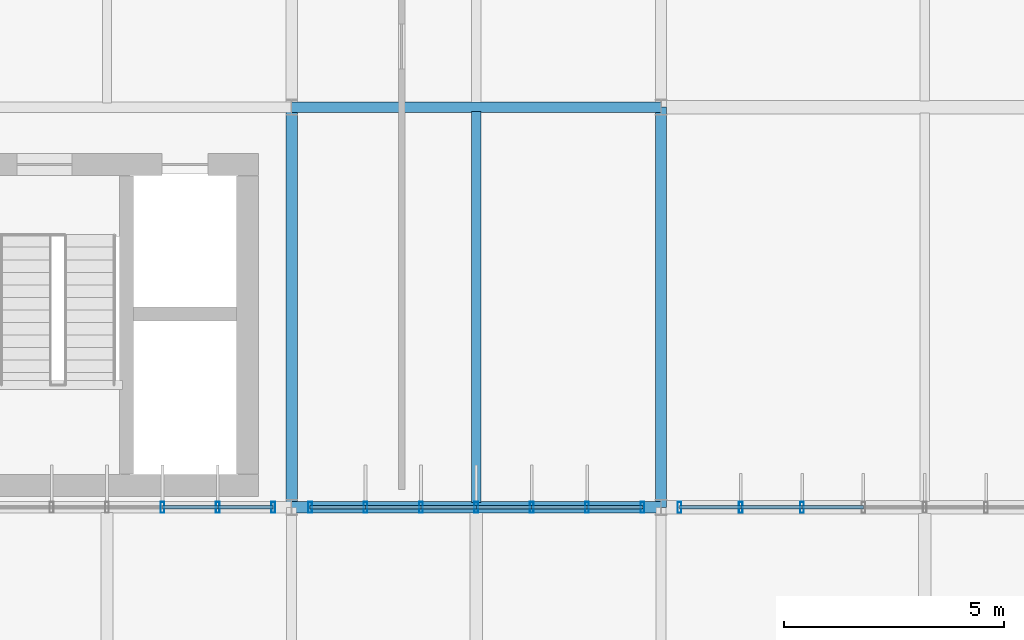
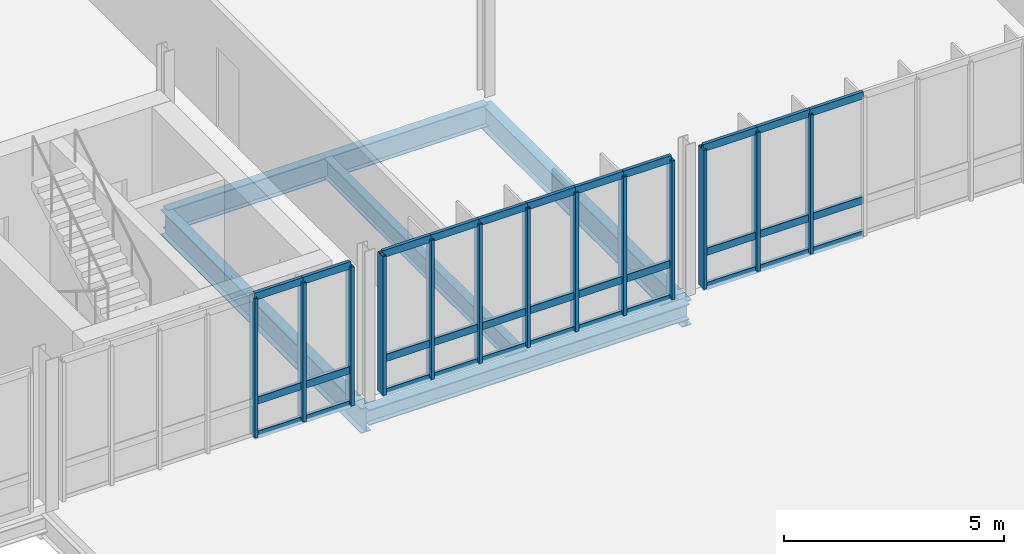
# One storey, part 63 of 107: 46 members, 5 beams, 3 elements without a shape of their own.
"""IFC4 building model written with IfcOpenShell, lengths in metres."""

from ifc_helpers import new_model, si_unit, derived_unit, direction, frame, origin, origin_2d, place, context, subcontext, project, spatial, hollow_rectangle, i_section, extrude, material, layer, layer_set, material_profile, profile_set, type_object, element, aggregate, save


model = new_model("IFC4")

# Units and contexts
model_context = context("Model", 3, precision=1e-05, world=origin(), true_north=direction((0.0, 1.0)))
body_context = subcontext(model_context, "Body", "Model", "MODEL_VIEW")
ifc_project = project(units=[si_unit("LENGTHUNIT", "METRE"), si_unit("AREAUNIT", "SQUARE_METRE"), si_unit("VOLUMEUNIT", "CUBIC_METRE"), si_unit("PLANEANGLEUNIT", "RADIAN"), si_unit("MASSUNIT", "GRAM", prefix="KILO"), derived_unit("THERMALTRANSMITTANCEUNIT", [(si_unit("MASSUNIT", "GRAM", prefix="KILO"), 1), (si_unit("TIMEUNIT", "SECOND"), -3), (si_unit("THERMODYNAMICTEMPERATUREUNIT", "KELVIN"), -1)])], contexts=[model_context])

# Site, building, storey
site_placement = place(None, origin())
site = spatial("IfcSite", under=ifc_project, at=site_placement, CompositionType="ELEMENT")
building_placement = place(site_placement, origin())
building = spatial("IfcBuilding", under=site, at=building_placement, Name="Makaiwela Harbour Ferry Terminal", CompositionType="ELEMENT")
storey_placement = place(building_placement, frame((0.0, 0.0, 9.60009765625)))
storey = spatial("IfcBuildingStorey", under=building, at=storey_placement, Name="L02", CompositionType="ELEMENT", Elevation=9.60009765625)

# Curtain wall, members
ifc_material_1 = material(Name="Marine anodised aluminium 6063-T6", Category="aluminium")
ifc_layer_1 = layer(ifc_material_1, 0.199951171875)
ifc_layer_set_1 = layer_set([ifc_layer_1], Name="Marine anodised aluminium 6063-T6")
curtain_wall_type_1 = type_object("IfcCurtainWallType", Name="ENV-CW-09", PredefinedType="USERDEFINED", material=ifc_layer_set_1)
curtain_wall_1_placement = place(storey_placement, origin())
curtain_wall_1 = element("IfcCurtainWall", 1, at=curtain_wall_1_placement, inside=storey, type_object=curtain_wall_type_1, Name="Unitised Curtain Wall CWA-152", ObjectType="UNITIZED CURTAIN WALL", PredefinedType="USERDEFINED")
ifc_material_profile_1 = material_profile(ifc_material_1, hollow_rectangle(XDim=0.0849609375, YDim=0.25, WallThickness=0.0048828125, at=origin_2d()), Name="CWM-250X85")
ifc_profile_set_1 = profile_set([ifc_material_profile_1], Name="Marine anodised aluminium 6063-T6")
member_type_1 = type_object("IfcMemberType", Name="CW-MUL-250", PredefinedType="MULLION", material=ifc_profile_set_1)
member_1_placement = place(storey_placement, frame((146.580078125, 49.39990234375, 0.0), z_axis=(0.0, 0.0, 1.0), x_axis=(1.0, 0.0, 0.0)))
member_1 = element("IfcMember", 2, at=member_1_placement, type_object=member_type_1, Name="Curtain Wall Mullion CWA-152-1", PredefinedType="MULLION", context=body_context, shape_type="SweptSolid", body=[
    extrude(hollow_rectangle(XDim=0.0849609375, YDim=0.25, WallThickness=0.0048828125, at=origin_2d()), origin(), (0.0, 0.0, 1.0), 3.849853515625),
])
member_2_placement = place(storey_placement, frame((145.320068359375, 49.39990234375, 0.0), z_axis=(0.0, 0.0, 1.0), x_axis=(1.0, 0.0, 0.0)))
member_2 = element("IfcMember", 3, at=member_2_placement, type_object=member_type_1, Name="Curtain Wall Mullion CWA-152-2", PredefinedType="MULLION", context=body_context, shape_type="SweptSolid", body=[
    extrude(hollow_rectangle(XDim=0.0849609375, YDim=0.25, WallThickness=0.0048828125, at=origin_2d()), origin(), (0.0, 0.0, 1.0), 3.849853515625),
])
member_3_placement = place(storey_placement, frame((144.06005859375, 49.39990234375, 0.0), z_axis=(0.0, 0.0, 1.0), x_axis=(1.0, 0.0, 0.0)))
member_3 = element("IfcMember", 4, at=member_3_placement, type_object=member_type_1, Name="Curtain Wall Mullion CWA-152-3", PredefinedType="MULLION", context=body_context, shape_type="SweptSolid", body=[
    extrude(hollow_rectangle(XDim=0.0849609375, YDim=0.25, WallThickness=0.0048828125, at=origin_2d()), origin(), (0.0, 0.0, 1.0), 3.849853515625),
])

curtain_wall_2_placement = place(storey_placement, origin())
curtain_wall_2 = element("IfcCurtainWall", 5, at=curtain_wall_2_placement, inside=storey, type_object=curtain_wall_type_1, Name="Unitised Curtain Wall CWA-154", ObjectType="UNITIZED CURTAIN WALL", PredefinedType="USERDEFINED")
member_4_placement = place(storey_placement, frame((154.97998046875, 49.39990234375, 0.0), z_axis=(0.0, 0.0, 1.0), x_axis=(1.0, 0.0, 0.0)))
member_4 = element("IfcMember", 6, at=member_4_placement, type_object=member_type_1, Name="Curtain Wall Mullion CWA-154-1", PredefinedType="MULLION", context=body_context, shape_type="SweptSolid", body=[
    extrude(hollow_rectangle(XDim=0.0849609375, YDim=0.25, WallThickness=0.0048828125, at=origin_2d()), origin(), (0.0, 0.0, 1.0), 3.849853515625),
])
member_5_placement = place(storey_placement, frame((153.719970703125, 49.39990234375, 0.0), z_axis=(0.0, 0.0, 1.0), x_axis=(1.0, 0.0, 0.0)))
member_5 = element("IfcMember", 7, at=member_5_placement, type_object=member_type_1, Name="Curtain Wall Mullion CWA-154-2", PredefinedType="MULLION", context=body_context, shape_type="SweptSolid", body=[
    extrude(hollow_rectangle(XDim=0.0849609375, YDim=0.25, WallThickness=0.0048828125, at=origin_2d()), origin(), (0.0, 0.0, 1.0), 3.849853515625),
])
member_6_placement = place(storey_placement, frame((152.4599609375, 49.39990234375, 0.0), z_axis=(0.0, 0.0, 1.0), x_axis=(1.0, 0.0, 0.0)))
member_6 = element("IfcMember", 8, at=member_6_placement, type_object=member_type_1, Name="Curtain Wall Mullion CWA-154-3", PredefinedType="MULLION", context=body_context, shape_type="SweptSolid", body=[
    extrude(hollow_rectangle(XDim=0.0849609375, YDim=0.25, WallThickness=0.0048828125, at=origin_2d()), origin(), (0.0, 0.0, 1.0), 3.849853515625),
])
member_7_placement = place(storey_placement, frame((151.199951171875, 49.39990234375, 0.0), z_axis=(0.0, 0.0, 1.0), x_axis=(1.0, 0.0, 0.0)))
member_7 = element("IfcMember", 9, at=member_7_placement, type_object=member_type_1, Name="Curtain Wall Mullion CWA-154-4", PredefinedType="MULLION", context=body_context, shape_type="SweptSolid", body=[
    extrude(hollow_rectangle(XDim=0.0849609375, YDim=0.25, WallThickness=0.0048828125, at=origin_2d()), origin(), (0.0, 0.0, 1.0), 3.849853515625),
])
member_8_placement = place(storey_placement, frame((149.93994140625, 49.39990234375, 0.0), z_axis=(0.0, 0.0, 1.0), x_axis=(1.0, 0.0, 0.0)))
member_8 = element("IfcMember", 10, at=member_8_placement, type_object=member_type_1, Name="Curtain Wall Mullion CWA-154-5", PredefinedType="MULLION", context=body_context, shape_type="SweptSolid", body=[
    extrude(hollow_rectangle(XDim=0.0849609375, YDim=0.25, WallThickness=0.0048828125, at=origin_2d()), origin(), (0.0, 0.0, 1.0), 3.849853515625),
])
member_9_placement = place(storey_placement, frame((148.679931640625, 49.39990234375, 0.0), z_axis=(0.0, 0.0, 1.0), x_axis=(1.0, 0.0, 0.0)))
member_9 = element("IfcMember", 11, at=member_9_placement, type_object=member_type_1, Name="Curtain Wall Mullion CWA-154-6", PredefinedType="MULLION", context=body_context, shape_type="SweptSolid", body=[
    extrude(hollow_rectangle(XDim=0.0849609375, YDim=0.25, WallThickness=0.0048828125, at=origin_2d()), origin(), (0.0, 0.0, 1.0), 3.849853515625),
])
member_10_placement = place(storey_placement, frame((147.419921875, 49.39990234375, 0.0), z_axis=(0.0, 0.0, 1.0), x_axis=(1.0, 0.0, 0.0)))
member_10 = element("IfcMember", 12, at=member_10_placement, type_object=member_type_1, Name="Curtain Wall Mullion CWA-154-7", PredefinedType="MULLION", context=body_context, shape_type="SweptSolid", body=[
    extrude(hollow_rectangle(XDim=0.0849609375, YDim=0.25, WallThickness=0.0048828125, at=origin_2d()), origin(), (0.0, 0.0, 1.0), 3.849853515625),
])

ifc_layer_2 = layer(ifc_material_1, 0.199951171875)
ifc_layer_set_2 = layer_set([ifc_layer_2], Name="Marine anodised aluminium 6063-T6")
curtain_wall_type_2 = type_object("IfcCurtainWallType", Name="ENV-CW-18", PredefinedType="USERDEFINED", material=ifc_layer_set_2)
curtain_wall_3_placement = place(storey_placement, origin())
curtain_wall_3 = element("IfcCurtainWall", 13, at=curtain_wall_3_placement, inside=storey, type_object=curtain_wall_type_2, Name="Unitised Curtain Wall CWA-156", ObjectType="UNITIZED CURTAIN WALL", PredefinedType="USERDEFINED")
member_11_placement = place(storey_placement, frame((158.610107421875, 49.39990234375, 0.0), z_axis=(0.0, 0.0, 1.0), x_axis=(1.0, 0.0, 0.0)))
member_11 = element("IfcMember", 14, at=member_11_placement, type_object=member_type_1, Name="Curtain Wall Mullion CWA-156-7", PredefinedType="MULLION", context=body_context, shape_type="SweptSolid", body=[
    extrude(hollow_rectangle(XDim=0.0849609375, YDim=0.25, WallThickness=0.0048828125, at=origin_2d()), origin(), (0.0, 0.0, 1.0), 3.849853515625),
])
member_12_placement = place(storey_placement, frame((157.215087890625, 49.39990234375, 0.0), z_axis=(0.0, 0.0, 1.0), x_axis=(1.0, 0.0, 0.0)))
member_12 = element("IfcMember", 15, at=member_12_placement, type_object=member_type_1, Name="Curtain Wall Mullion CWA-156-8", PredefinedType="MULLION", context=body_context, shape_type="SweptSolid", body=[
    extrude(hollow_rectangle(XDim=0.0849609375, YDim=0.25, WallThickness=0.0048828125, at=origin_2d()), origin(), (0.0, 0.0, 1.0), 3.849853515625),
])
member_13_placement = place(storey_placement, frame((155.820068359375, 49.39990234375, 0.0), z_axis=(0.0, 0.0, 1.0), x_axis=(1.0, 0.0, 0.0)))
member_13 = element("IfcMember", 16, at=member_13_placement, type_object=member_type_1, Name="Curtain Wall Mullion CWA-156-9", PredefinedType="MULLION", context=body_context, shape_type="SweptSolid", body=[
    extrude(hollow_rectangle(XDim=0.0849609375, YDim=0.25, WallThickness=0.0048828125, at=origin_2d()), origin(), (0.0, 0.0, 1.0), 3.849853515625),
])

# Member
ifc_material_profile_2 = material_profile(ifc_material_1, hollow_rectangle(XDim=0.0849609375, YDim=0.199951171875, WallThickness=0.0048828125, at=origin_2d()), Name="CWT-200X85")
ifc_profile_set_2 = profile_set([ifc_material_profile_2], Name="Marine anodised aluminium 6063-T6")
member_type_2 = type_object("IfcMemberType", Name="CW-TRN-200", PredefinedType="USERDEFINED", material=ifc_profile_set_2)
member_14_placement = place(storey_placement, frame((146.580078125, 49.39990234375, 0.0), z_axis=(-1.0, 0.0, 0.0), x_axis=(0.0, -1.0, 0.0)))
member_14 = element("IfcMember", 17, at=member_14_placement, type_object=member_type_2, Name="Curtain Wall Transom CWA-152-1-1", ObjectType="TRANSOM", PredefinedType="USERDEFINED", context=body_context, shape_type="SweptSolid", body=[
    extrude(hollow_rectangle(XDim=0.0849609375, YDim=0.199951171875, WallThickness=0.0048828125, at=origin_2d()), origin(), (0.0, 0.0, 1.0), 1.260009765625),
])

member_15_placement = place(storey_placement, frame((146.580078125, 49.39990234375, 0.949951171875), z_axis=(-1.0, 0.0, 0.0), x_axis=(0.0, -1.0, 0.0)))
member_15 = element("IfcMember", 18, at=member_15_placement, type_object=member_type_2, Name="Curtain Wall Transom CWA-152-1-2", ObjectType="TRANSOM", PredefinedType="USERDEFINED", context=body_context, shape_type="SweptSolid", body=[
    extrude(hollow_rectangle(XDim=0.0849609375, YDim=0.199951171875, WallThickness=0.0048828125, at=origin_2d()), origin(), (0.0, 0.0, 1.0), 1.260009765625),
])

member_16_placement = place(storey_placement, frame((146.580078125, 49.39990234375, 3.849853515625), z_axis=(-1.0, 0.0, 0.0), x_axis=(0.0, -1.0, 0.0)))
member_16 = element("IfcMember", 19, at=member_16_placement, type_object=member_type_2, Name="Curtain Wall Transom CWA-152-1-3", ObjectType="TRANSOM", PredefinedType="USERDEFINED", context=body_context, shape_type="SweptSolid", body=[
    extrude(hollow_rectangle(XDim=0.0849609375, YDim=0.199951171875, WallThickness=0.0048828125, at=origin_2d()), origin(), (0.0, 0.0, 1.0), 1.260009765625),
])

member_17_placement = place(storey_placement, frame((145.320068359375, 49.39990234375, 0.0), z_axis=(-1.0, 0.0, 0.0), x_axis=(0.0, -1.0, 0.0)))
member_17 = element("IfcMember", 20, at=member_17_placement, type_object=member_type_2, Name="Curtain Wall Transom CWA-152-2-1", ObjectType="TRANSOM", PredefinedType="USERDEFINED", context=body_context, shape_type="SweptSolid", body=[
    extrude(hollow_rectangle(XDim=0.0849609375, YDim=0.199951171875, WallThickness=0.0048828125, at=origin_2d()), origin(), (0.0, 0.0, 1.0), 1.260009765625),
])

member_18_placement = place(storey_placement, frame((145.320068359375, 49.39990234375, 0.949951171875), z_axis=(-1.0, 0.0, 0.0), x_axis=(0.0, -1.0, 0.0)))
member_18 = element("IfcMember", 21, at=member_18_placement, type_object=member_type_2, Name="Curtain Wall Transom CWA-152-2-2", ObjectType="TRANSOM", PredefinedType="USERDEFINED", context=body_context, shape_type="SweptSolid", body=[
    extrude(hollow_rectangle(XDim=0.0849609375, YDim=0.199951171875, WallThickness=0.0048828125, at=origin_2d()), origin(), (0.0, 0.0, 1.0), 1.260009765625),
])

member_19_placement = place(storey_placement, frame((145.320068359375, 49.39990234375, 3.849853515625), z_axis=(-1.0, 0.0, 0.0), x_axis=(0.0, -1.0, 0.0)))
member_19 = element("IfcMember", 22, at=member_19_placement, type_object=member_type_2, Name="Curtain Wall Transom CWA-152-2-3", ObjectType="TRANSOM", PredefinedType="USERDEFINED", context=body_context, shape_type="SweptSolid", body=[
    extrude(hollow_rectangle(XDim=0.0849609375, YDim=0.199951171875, WallThickness=0.0048828125, at=origin_2d()), origin(), (0.0, 0.0, 1.0), 1.260009765625),
])

aggregate(curtain_wall_1, [member_1, member_2, member_3, member_14, member_15, member_16, member_17, member_18, member_19])

member_20_placement = place(storey_placement, frame((154.97998046875, 49.39990234375, 0.0), z_axis=(-1.0, 0.0, 0.0), x_axis=(0.0, -1.0, 0.0)))
member_20 = element("IfcMember", 23, at=member_20_placement, type_object=member_type_2, Name="Curtain Wall Transom CWA-154-1-1", ObjectType="TRANSOM", PredefinedType="USERDEFINED", context=body_context, shape_type="SweptSolid", body=[
    extrude(hollow_rectangle(XDim=0.0849609375, YDim=0.199951171875, WallThickness=0.0048828125, at=origin_2d()), origin(), (0.0, 0.0, 1.0), 1.260009765625),
])

member_21_placement = place(storey_placement, frame((154.97998046875, 49.39990234375, 0.949951171875), z_axis=(-1.0, 0.0, 0.0), x_axis=(0.0, -1.0, 0.0)))
member_21 = element("IfcMember", 24, at=member_21_placement, type_object=member_type_2, Name="Curtain Wall Transom CWA-154-1-2", ObjectType="TRANSOM", PredefinedType="USERDEFINED", context=body_context, shape_type="SweptSolid", body=[
    extrude(hollow_rectangle(XDim=0.0849609375, YDim=0.199951171875, WallThickness=0.0048828125, at=origin_2d()), origin(), (0.0, 0.0, 1.0), 1.260009765625),
])

member_22_placement = place(storey_placement, frame((154.97998046875, 49.39990234375, 3.849853515625), z_axis=(-1.0, 0.0, 0.0), x_axis=(0.0, -1.0, 0.0)))
member_22 = element("IfcMember", 25, at=member_22_placement, type_object=member_type_2, Name="Curtain Wall Transom CWA-154-1-3", ObjectType="TRANSOM", PredefinedType="USERDEFINED", context=body_context, shape_type="SweptSolid", body=[
    extrude(hollow_rectangle(XDim=0.0849609375, YDim=0.199951171875, WallThickness=0.0048828125, at=origin_2d()), origin(), (0.0, 0.0, 1.0), 1.260009765625),
])

member_23_placement = place(storey_placement, frame((153.719970703125, 49.39990234375, 0.0), z_axis=(-1.0, 0.0, 0.0), x_axis=(0.0, -1.0, 0.0)))
member_23 = element("IfcMember", 26, at=member_23_placement, type_object=member_type_2, Name="Curtain Wall Transom CWA-154-2-1", ObjectType="TRANSOM", PredefinedType="USERDEFINED", context=body_context, shape_type="SweptSolid", body=[
    extrude(hollow_rectangle(XDim=0.0849609375, YDim=0.199951171875, WallThickness=0.0048828125, at=origin_2d()), origin(), (0.0, 0.0, 1.0), 1.260009765625),
])

member_24_placement = place(storey_placement, frame((153.719970703125, 49.39990234375, 0.949951171875), z_axis=(-1.0, 0.0, 0.0), x_axis=(0.0, -1.0, 0.0)))
member_24 = element("IfcMember", 27, at=member_24_placement, type_object=member_type_2, Name="Curtain Wall Transom CWA-154-2-2", ObjectType="TRANSOM", PredefinedType="USERDEFINED", context=body_context, shape_type="SweptSolid", body=[
    extrude(hollow_rectangle(XDim=0.0849609375, YDim=0.199951171875, WallThickness=0.0048828125, at=origin_2d()), origin(), (0.0, 0.0, 1.0), 1.260009765625),
])

member_25_placement = place(storey_placement, frame((153.719970703125, 49.39990234375, 3.849853515625), z_axis=(-1.0, 0.0, 0.0), x_axis=(0.0, -1.0, 0.0)))
member_25 = element("IfcMember", 28, at=member_25_placement, type_object=member_type_2, Name="Curtain Wall Transom CWA-154-2-3", ObjectType="TRANSOM", PredefinedType="USERDEFINED", context=body_context, shape_type="SweptSolid", body=[
    extrude(hollow_rectangle(XDim=0.0849609375, YDim=0.199951171875, WallThickness=0.0048828125, at=origin_2d()), origin(), (0.0, 0.0, 1.0), 1.260009765625),
])

member_26_placement = place(storey_placement, frame((152.4599609375, 49.39990234375, 0.0), z_axis=(-1.0, 0.0, 0.0), x_axis=(0.0, -1.0, 0.0)))
member_26 = element("IfcMember", 29, at=member_26_placement, type_object=member_type_2, Name="Curtain Wall Transom CWA-154-3-1", ObjectType="TRANSOM", PredefinedType="USERDEFINED", context=body_context, shape_type="SweptSolid", body=[
    extrude(hollow_rectangle(XDim=0.0849609375, YDim=0.199951171875, WallThickness=0.0048828125, at=origin_2d()), origin(), (0.0, 0.0, 1.0), 1.260009765625),
])

member_27_placement = place(storey_placement, frame((152.4599609375, 49.39990234375, 0.949951171875), z_axis=(-1.0, 0.0, 0.0), x_axis=(0.0, -1.0, 0.0)))
member_27 = element("IfcMember", 30, at=member_27_placement, type_object=member_type_2, Name="Curtain Wall Transom CWA-154-3-2", ObjectType="TRANSOM", PredefinedType="USERDEFINED", context=body_context, shape_type="SweptSolid", body=[
    extrude(hollow_rectangle(XDim=0.0849609375, YDim=0.199951171875, WallThickness=0.0048828125, at=origin_2d()), origin(), (0.0, 0.0, 1.0), 1.260009765625),
])

member_28_placement = place(storey_placement, frame((152.4599609375, 49.39990234375, 3.849853515625), z_axis=(-1.0, 0.0, 0.0), x_axis=(0.0, -1.0, 0.0)))
member_28 = element("IfcMember", 31, at=member_28_placement, type_object=member_type_2, Name="Curtain Wall Transom CWA-154-3-3", ObjectType="TRANSOM", PredefinedType="USERDEFINED", context=body_context, shape_type="SweptSolid", body=[
    extrude(hollow_rectangle(XDim=0.0849609375, YDim=0.199951171875, WallThickness=0.0048828125, at=origin_2d()), origin(), (0.0, 0.0, 1.0), 1.260009765625),
])

member_29_placement = place(storey_placement, frame((151.199951171875, 49.39990234375, 0.0), z_axis=(-1.0, 0.0, 0.0), x_axis=(0.0, -1.0, 0.0)))
member_29 = element("IfcMember", 32, at=member_29_placement, type_object=member_type_2, Name="Curtain Wall Transom CWA-154-4-1", ObjectType="TRANSOM", PredefinedType="USERDEFINED", context=body_context, shape_type="SweptSolid", body=[
    extrude(hollow_rectangle(XDim=0.0849609375, YDim=0.199951171875, WallThickness=0.0048828125, at=origin_2d()), origin(), (0.0, 0.0, 1.0), 1.260009765625),
])

member_30_placement = place(storey_placement, frame((151.199951171875, 49.39990234375, 0.949951171875), z_axis=(-1.0, 0.0, 0.0), x_axis=(0.0, -1.0, 0.0)))
member_30 = element("IfcMember", 33, at=member_30_placement, type_object=member_type_2, Name="Curtain Wall Transom CWA-154-4-2", ObjectType="TRANSOM", PredefinedType="USERDEFINED", context=body_context, shape_type="SweptSolid", body=[
    extrude(hollow_rectangle(XDim=0.0849609375, YDim=0.199951171875, WallThickness=0.0048828125, at=origin_2d()), origin(), (0.0, 0.0, 1.0), 1.260009765625),
])

member_31_placement = place(storey_placement, frame((151.199951171875, 49.39990234375, 3.849853515625), z_axis=(-1.0, 0.0, 0.0), x_axis=(0.0, -1.0, 0.0)))
member_31 = element("IfcMember", 34, at=member_31_placement, type_object=member_type_2, Name="Curtain Wall Transom CWA-154-4-3", ObjectType="TRANSOM", PredefinedType="USERDEFINED", context=body_context, shape_type="SweptSolid", body=[
    extrude(hollow_rectangle(XDim=0.0849609375, YDim=0.199951171875, WallThickness=0.0048828125, at=origin_2d()), origin(), (0.0, 0.0, 1.0), 1.260009765625),
])

member_32_placement = place(storey_placement, frame((149.93994140625, 49.39990234375, 0.0), z_axis=(-1.0, 0.0, 0.0), x_axis=(0.0, -1.0, 0.0)))
member_32 = element("IfcMember", 35, at=member_32_placement, type_object=member_type_2, Name="Curtain Wall Transom CWA-154-5-1", ObjectType="TRANSOM", PredefinedType="USERDEFINED", context=body_context, shape_type="SweptSolid", body=[
    extrude(hollow_rectangle(XDim=0.0849609375, YDim=0.199951171875, WallThickness=0.0048828125, at=origin_2d()), origin(), (0.0, 0.0, 1.0), 1.260009765625),
])

member_33_placement = place(storey_placement, frame((149.93994140625, 49.39990234375, 0.949951171875), z_axis=(-1.0, 0.0, 0.0), x_axis=(0.0, -1.0, 0.0)))
member_33 = element("IfcMember", 36, at=member_33_placement, type_object=member_type_2, Name="Curtain Wall Transom CWA-154-5-2", ObjectType="TRANSOM", PredefinedType="USERDEFINED", context=body_context, shape_type="SweptSolid", body=[
    extrude(hollow_rectangle(XDim=0.0849609375, YDim=0.199951171875, WallThickness=0.0048828125, at=origin_2d()), origin(), (0.0, 0.0, 1.0), 1.260009765625),
])

member_34_placement = place(storey_placement, frame((149.93994140625, 49.39990234375, 3.849853515625), z_axis=(-1.0, 0.0, 0.0), x_axis=(0.0, -1.0, 0.0)))
member_34 = element("IfcMember", 37, at=member_34_placement, type_object=member_type_2, Name="Curtain Wall Transom CWA-154-5-3", ObjectType="TRANSOM", PredefinedType="USERDEFINED", context=body_context, shape_type="SweptSolid", body=[
    extrude(hollow_rectangle(XDim=0.0849609375, YDim=0.199951171875, WallThickness=0.0048828125, at=origin_2d()), origin(), (0.0, 0.0, 1.0), 1.260009765625),
])

member_35_placement = place(storey_placement, frame((148.679931640625, 49.39990234375, 0.0), z_axis=(-1.0, 0.0, 0.0), x_axis=(0.0, -1.0, 0.0)))
member_35 = element("IfcMember", 38, at=member_35_placement, type_object=member_type_2, Name="Curtain Wall Transom CWA-154-6-1", ObjectType="TRANSOM", PredefinedType="USERDEFINED", context=body_context, shape_type="SweptSolid", body=[
    extrude(hollow_rectangle(XDim=0.0849609375, YDim=0.199951171875, WallThickness=0.0048828125, at=origin_2d()), origin(), (0.0, 0.0, 1.0), 1.260009765625),
])

member_36_placement = place(storey_placement, frame((148.679931640625, 49.39990234375, 0.949951171875), z_axis=(-1.0, 0.0, 0.0), x_axis=(0.0, -1.0, 0.0)))
member_36 = element("IfcMember", 39, at=member_36_placement, type_object=member_type_2, Name="Curtain Wall Transom CWA-154-6-2", ObjectType="TRANSOM", PredefinedType="USERDEFINED", context=body_context, shape_type="SweptSolid", body=[
    extrude(hollow_rectangle(XDim=0.0849609375, YDim=0.199951171875, WallThickness=0.0048828125, at=origin_2d()), origin(), (0.0, 0.0, 1.0), 1.260009765625),
])

member_37_placement = place(storey_placement, frame((148.679931640625, 49.39990234375, 3.849853515625), z_axis=(-1.0, 0.0, 0.0), x_axis=(0.0, -1.0, 0.0)))
member_37 = element("IfcMember", 40, at=member_37_placement, type_object=member_type_2, Name="Curtain Wall Transom CWA-154-6-3", ObjectType="TRANSOM", PredefinedType="USERDEFINED", context=body_context, shape_type="SweptSolid", body=[
    extrude(hollow_rectangle(XDim=0.0849609375, YDim=0.199951171875, WallThickness=0.0048828125, at=origin_2d()), origin(), (0.0, 0.0, 1.0), 1.260009765625),
])

aggregate(curtain_wall_2, [member_4, member_5, member_6, member_7, member_8, member_9, member_10, member_20, member_21, member_22, member_23, member_24, member_25, member_26, member_27, member_28, member_29, member_30, member_31, member_32, member_33, member_34, member_35, member_36, member_37])

member_38_placement = place(storey_placement, frame((160.0048828125, 49.39990234375, 0.0), z_axis=(-1.0, 0.0, 0.0), x_axis=(0.0, -1.0, 0.0)))
member_38 = element("IfcMember", 41, at=member_38_placement, type_object=member_type_2, Name="Curtain Wall Transom CWA-156-6-1", ObjectType="TRANSOM", PredefinedType="USERDEFINED", context=body_context, shape_type="SweptSolid", body=[
    extrude(hollow_rectangle(XDim=0.0849609375, YDim=0.199951171875, WallThickness=0.0048828125, at=origin_2d()), origin(), (0.0, 0.0, 1.0), 1.394775390625),
])

member_39_placement = place(storey_placement, frame((160.0048828125, 49.39990234375, 0.949951171875), z_axis=(-1.0, 0.0, 0.0), x_axis=(0.0, -1.0, 0.0)))
member_39 = element("IfcMember", 42, at=member_39_placement, type_object=member_type_2, Name="Curtain Wall Transom CWA-156-6-2", ObjectType="TRANSOM", PredefinedType="USERDEFINED", context=body_context, shape_type="SweptSolid", body=[
    extrude(hollow_rectangle(XDim=0.0849609375, YDim=0.199951171875, WallThickness=0.0048828125, at=origin_2d()), origin(), (0.0, 0.0, 1.0), 1.394775390625),
])

member_40_placement = place(storey_placement, frame((160.0048828125, 49.39990234375, 3.849853515625), z_axis=(-1.0, 0.0, 0.0), x_axis=(0.0, -1.0, 0.0)))
member_40 = element("IfcMember", 43, at=member_40_placement, type_object=member_type_2, Name="Curtain Wall Transom CWA-156-6-3", ObjectType="TRANSOM", PredefinedType="USERDEFINED", context=body_context, shape_type="SweptSolid", body=[
    extrude(hollow_rectangle(XDim=0.0849609375, YDim=0.199951171875, WallThickness=0.0048828125, at=origin_2d()), origin(), (0.0, 0.0, 1.0), 1.394775390625),
])

member_41_placement = place(storey_placement, frame((158.610107421875, 49.39990234375, 0.0), z_axis=(-1.0, 0.0, 0.0), x_axis=(0.0, -1.0, 0.0)))
member_41 = element("IfcMember", 44, at=member_41_placement, type_object=member_type_2, Name="Curtain Wall Transom CWA-156-7-1", ObjectType="TRANSOM", PredefinedType="USERDEFINED", context=body_context, shape_type="SweptSolid", body=[
    extrude(hollow_rectangle(XDim=0.0849609375, YDim=0.199951171875, WallThickness=0.0048828125, at=origin_2d()), origin(), (0.0, 0.0, 1.0), 1.39501953125),
])

member_42_placement = place(storey_placement, frame((158.610107421875, 49.39990234375, 0.949951171875), z_axis=(-1.0, 0.0, 0.0), x_axis=(0.0, -1.0, 0.0)))
member_42 = element("IfcMember", 45, at=member_42_placement, type_object=member_type_2, Name="Curtain Wall Transom CWA-156-7-2", ObjectType="TRANSOM", PredefinedType="USERDEFINED", context=body_context, shape_type="SweptSolid", body=[
    extrude(hollow_rectangle(XDim=0.0849609375, YDim=0.199951171875, WallThickness=0.0048828125, at=origin_2d()), origin(), (0.0, 0.0, 1.0), 1.39501953125),
])

member_43_placement = place(storey_placement, frame((158.610107421875, 49.39990234375, 3.849853515625), z_axis=(-1.0, 0.0, 0.0), x_axis=(0.0, -1.0, 0.0)))
member_43 = element("IfcMember", 46, at=member_43_placement, type_object=member_type_2, Name="Curtain Wall Transom CWA-156-7-3", ObjectType="TRANSOM", PredefinedType="USERDEFINED", context=body_context, shape_type="SweptSolid", body=[
    extrude(hollow_rectangle(XDim=0.0849609375, YDim=0.199951171875, WallThickness=0.0048828125, at=origin_2d()), origin(), (0.0, 0.0, 1.0), 1.39501953125),
])

member_44_placement = place(storey_placement, frame((157.215087890625, 49.39990234375, 0.0), z_axis=(-1.0, 0.0, 0.0), x_axis=(0.0, -1.0, 0.0)))
member_44 = element("IfcMember", 47, at=member_44_placement, type_object=member_type_2, Name="Curtain Wall Transom CWA-156-8-1", ObjectType="TRANSOM", PredefinedType="USERDEFINED", context=body_context, shape_type="SweptSolid", body=[
    extrude(hollow_rectangle(XDim=0.0849609375, YDim=0.199951171875, WallThickness=0.0048828125, at=origin_2d()), origin(), (0.0, 0.0, 1.0), 1.39501953125),
])

member_45_placement = place(storey_placement, frame((157.215087890625, 49.39990234375, 0.949951171875), z_axis=(-1.0, 0.0, 0.0), x_axis=(0.0, -1.0, 0.0)))
member_45 = element("IfcMember", 48, at=member_45_placement, type_object=member_type_2, Name="Curtain Wall Transom CWA-156-8-2", ObjectType="TRANSOM", PredefinedType="USERDEFINED", context=body_context, shape_type="SweptSolid", body=[
    extrude(hollow_rectangle(XDim=0.0849609375, YDim=0.199951171875, WallThickness=0.0048828125, at=origin_2d()), origin(), (0.0, 0.0, 1.0), 1.39501953125),
])

member_46_placement = place(storey_placement, frame((157.215087890625, 49.39990234375, 3.849853515625), z_axis=(-1.0, 0.0, 0.0), x_axis=(0.0, -1.0, 0.0)))
member_46 = element("IfcMember", 49, at=member_46_placement, type_object=member_type_2, Name="Curtain Wall Transom CWA-156-8-3", ObjectType="TRANSOM", PredefinedType="USERDEFINED", context=body_context, shape_type="SweptSolid", body=[
    extrude(hollow_rectangle(XDim=0.0849609375, YDim=0.199951171875, WallThickness=0.0048828125, at=origin_2d()), origin(), (0.0, 0.0, 1.0), 1.39501953125),
])

aggregate(curtain_wall_3, [member_11, member_12, member_13, member_38, member_39, member_40, member_41, member_42, member_43, member_44, member_45, member_46])

# Beams
ifc_material_2 = material(Name="Steel ASTM A992 Grade 50", Category="steel")
ifc_material_profile_3 = material_profile(ifc_material_2, i_section(OverallWidth=0.2099609375, OverallDepth=0.537109375, WebThickness=0.010986328125, FlangeThickness=0.017333984375, at=origin_2d()), Name="W21X68")
ifc_profile_set_3 = profile_set([ifc_material_profile_3], Name="Steel ASTM A992 Grade 50")
beam_type_1 = type_object("IfcBeamType", Name="STR-BM-W21X68", PredefinedType="BEAM", material=ifc_profile_set_3)
beam_1_placement = place(storey_placement, frame((151.199951171875, 49.514404296875, -0.528564453125), z_axis=(0.0, 1.0, 0.0), x_axis=(-1.0, 0.0, 0.0)))
element("IfcBeam", 50, at=beam_1_placement, inside=storey, type_object=beam_type_1, Name="Secondary floor beam 1537", PredefinedType="BEAM", context=body_context, shape_type="SweptSolid", body=[
    extrude(i_section(OverallWidth=0.2099609375, OverallDepth=0.537109375, WebThickness=0.010986328125, FlangeThickness=0.017333984375, at=origin_2d()), origin(), (0.0, 0.0, 1.0), 8.88916015625),
])
ifc_material_profile_4 = material_profile(ifc_material_2, i_section(OverallWidth=0.22900390625, OverallDepth=0.612060546875, WebThickness=0.011962890625, FlangeThickness=0.01953125, at=origin_2d()), Name="W24X84")
ifc_profile_set_4 = profile_set([ifc_material_profile_4], Name="Steel ASTM A992 Grade 50")
beam_type_2 = type_object("IfcBeamType", Name="STR-GRD-W24X84", PredefinedType="USERDEFINED", material=ifc_profile_set_4)
beam_2_placement = place(storey_placement, frame((147.0, 58.5, -0.566162109375), z_axis=(1.0, 0.0, 0.0), x_axis=(0.0, 1.0, 0.0)))
element("IfcBeam", 51, at=beam_2_placement, inside=storey, type_object=beam_type_2, Name="Primary X girder 1308", ObjectType="GIRDER", PredefinedType="USERDEFINED", context=body_context, shape_type="SweptSolid", body=[
    extrude(i_section(OverallWidth=0.22900390625, OverallDepth=0.612060546875, WebThickness=0.011962890625, FlangeThickness=0.01953125, at=origin_2d()), origin(), (0.0, 0.0, 1.0), 8.39990234375),
])
ifc_material_profile_5 = material_profile(ifc_material_2, i_section(OverallWidth=0.256103515625, OverallDepth=0.693115234375, WebThickness=0.014404296875, FlangeThickness=0.023681640625, at=origin_2d()), Name="W27X114")
ifc_profile_set_5 = profile_set([ifc_material_profile_5], Name="Steel ASTM A992 Grade 50")
beam_type_3 = type_object("IfcBeamType", Name="STR-GRD-W27X114", PredefinedType="USERDEFINED", material=ifc_profile_set_5)
for number, where, z_axis, x_axis, name in (
    (52, (147.0, 49.39990234375, -0.606689453125), (0.0, 1.0, 0.0), (-1.0, 0.0, 0.0), "Primary Y girder 1434"),
    (53, (155.39990234375, 49.39990234375, -0.606689453125), (0.0, 1.0, 0.0), (-1.0, 0.0, 0.0), "Primary Y girder 1445"),
):
    element("IfcBeam", number, at=place(storey_placement, frame(where, z_axis=z_axis, x_axis=x_axis)), inside=storey, type_object=beam_type_3, Name=name, ObjectType="GIRDER", PredefinedType="USERDEFINED", context=body_context, shape_type="SweptSolid", body=[
        extrude(i_section(OverallWidth=0.256103515625, OverallDepth=0.693115234375, WebThickness=0.014404296875, FlangeThickness=0.023681640625, at=origin_2d()), origin(), (0.0, 0.0, 1.0), 9.10009765625),
    ])
ifc_material_profile_6 = material_profile(ifc_material_2, i_section(OverallWidth=0.264892578125, OverallDepth=0.430908203125, WebThickness=0.014892578125, FlangeThickness=0.02490234375, at=origin_2d()), Name="W16X100")
ifc_profile_set_6 = profile_set([ifc_material_profile_6], Name="Steel ASTM A992 Grade 50")
beam_type_4 = type_object("IfcBeamType", Name="STR-SPN-W16X100", PredefinedType="SPANDREL", material=ifc_profile_set_6)
beam_3_placement = place(storey_placement, frame((147.0, 49.39990234375, -0.4755859375), z_axis=(1.0, 0.0, 0.0), x_axis=(0.0, 1.0, 0.0)))
element("IfcBeam", 54, at=beam_3_placement, inside=storey, type_object=beam_type_4, Name="Primary X girder 1290", PredefinedType="SPANDREL", context=body_context, shape_type="SweptSolid", body=[
    extrude(i_section(OverallWidth=0.264892578125, OverallDepth=0.430908203125, WebThickness=0.014892578125, FlangeThickness=0.02490234375, at=origin_2d()), origin(), (0.0, 0.0, 1.0), 8.39990234375),
])

save(model, "model.ifc")
